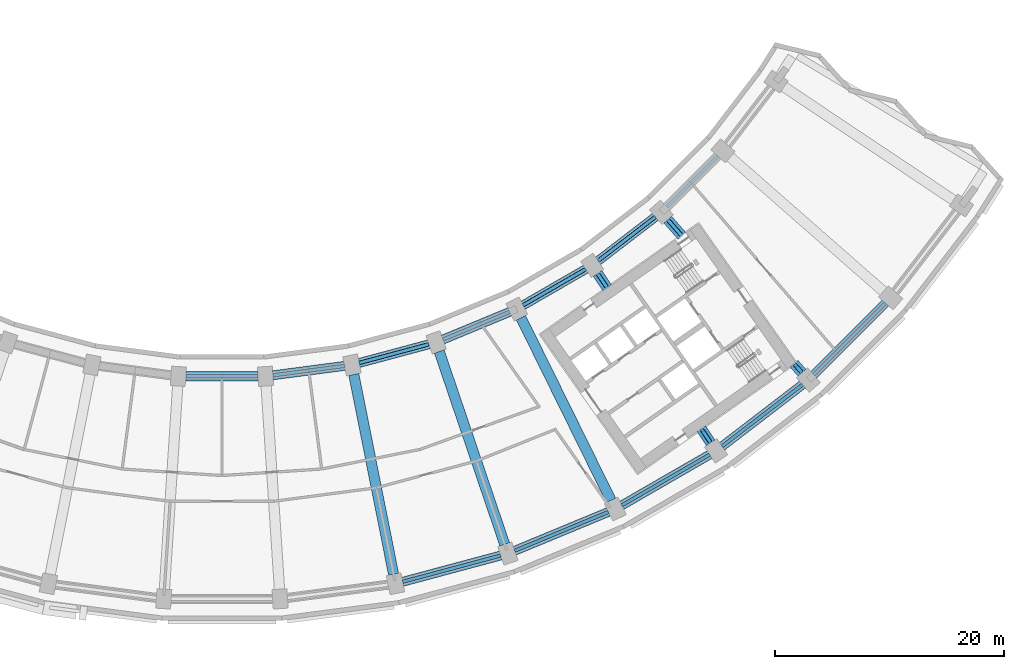
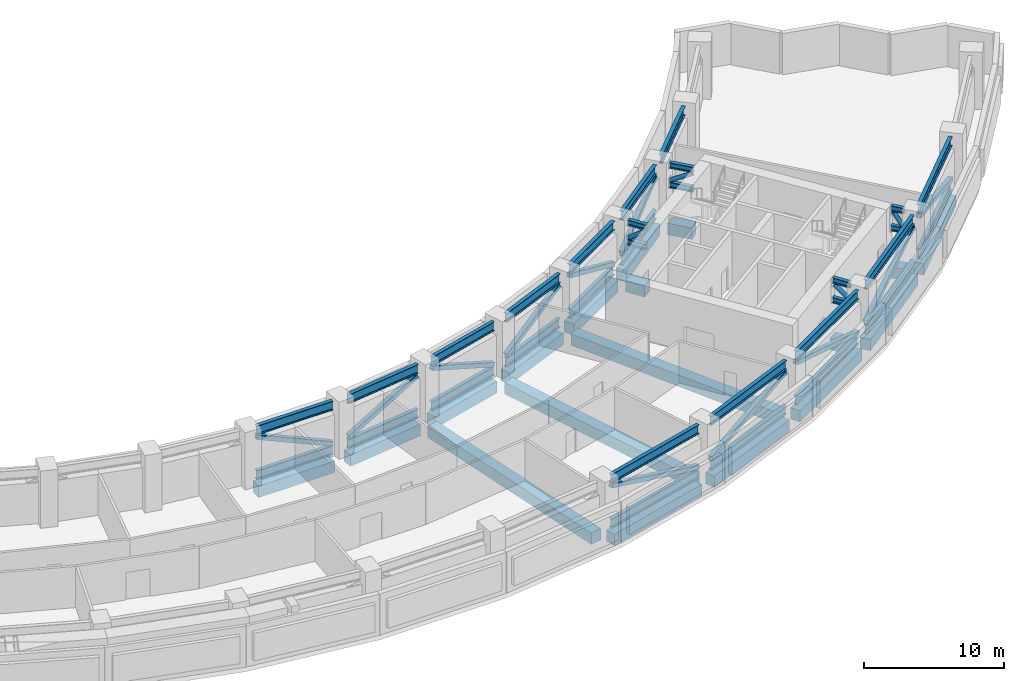
# One storey, part 3 of 25: 46 members, 18 beams.
"""IFC4 building model written with IfcOpenShell, lengths in metres."""

from ifc_helpers import new_model, si_unit, direction, frame, origin, origin_2d, place, context, subcontext, project, spatial, rectangle, hollow_rectangle, hollow_circle, i_section, extrude, material, material_profile, profile_set, type_object, element, save


model = new_model("IFC4")

# Units and contexts
model_context = context("Model", 3, precision=1e-05, world=origin(), true_north=direction((0.0, 1.0)))
body_context = subcontext(model_context, "Body", "Model", "MODEL_VIEW")
ifc_project = project(units=[si_unit("LENGTHUNIT", "METRE"), si_unit("AREAUNIT", "SQUARE_METRE"), si_unit("VOLUMEUNIT", "CUBIC_METRE"), si_unit("PLANEANGLEUNIT", "RADIAN"), si_unit("MASSUNIT", "GRAM", prefix="KILO")], contexts=[model_context])

# Site, building, storey
site_placement = place(None, origin())
site = spatial("IfcSite", under=ifc_project, at=site_placement, CompositionType="ELEMENT")
building_placement = place(site_placement, origin())
building = spatial("IfcBuilding", under=site, at=building_placement, Name="Qamariyya Broadcast Tower", CompositionType="ELEMENT")
storey_placement = place(building_placement, frame((0.0, 0.0, 89.89990234375)))
storey = spatial("IfcBuildingStorey", under=building, at=storey_placement, Name="L19", CompositionType="ELEMENT", Elevation=89.89990234375)

# Members
ifc_material_1 = material(Name="Steel S355", Category="steel")
ifc_material_profile_1 = material_profile(ifc_material_1, i_section(OverallWidth=0.300048828125, OverallDepth=0.800048828125, WebThickness=0.017578125, FlangeThickness=0.032958984375, FilletRadius=0.030029296875, at=origin_2d()))
ifc_profile_set_1 = profile_set([ifc_material_profile_1], Name="Steel S355")
member_type_1 = type_object("IfcMemberType", Name="Belt truss bottom chord HEB 800", PredefinedType="CHORD", material=ifc_profile_set_1)
member_1_placement = place(storey_placement, frame((-3.158447265625, -58.125244140625, 0.400146484375), z_axis=(1.0, 0.0, 0.0), x_axis=(0.0, 1.0, 0.0)))
element("IfcMember", 1, at=member_1_placement, inside=storey, type_object=member_type_1, Name="Belt truss bottom chord T6 L19 B-R10", PredefinedType="CHORD", context=body_context, shape_type="SweptSolid", body=[
    extrude(i_section(OverallWidth=0.300048828125, OverallDepth=0.800048828125, WebThickness=0.017578125, FlangeThickness=0.032958984375, FilletRadius=0.030029296875, at=origin_2d()), origin(), (0.0, 0.0, 1.0), 6.31689453125),
])
for number, where, z_axis, x_axis, name in (
    (2, (4.45556640625, -58.040283203125, 0.400146484375), (0.991445610946, 0.130520498525, 0.0), (-0.130520498525, 0.991445610946, 0.0), "Belt truss bottom chord T6 L19 B-R11"),
    (3, (11.9931640625, -56.962158203125, 0.400146484375), (0.965931490327, 0.258797905699, 0.0), (-0.258797905699, 0.965931490327, 0.0), "Belt truss bottom chord T6 L19 B-R12"),
    (4, (19.32568359375, -54.909423828125, 0.400146484375), (0.923884465345, 0.382671523234, 0.0), (-0.382671523234, 0.923884465345, 0.0), "Belt truss bottom chord T6 L19 B-R13"),
):
    element("IfcMember", number, at=place(storey_placement, frame(where, z_axis=z_axis, x_axis=x_axis)), inside=storey, type_object=member_type_1, Name=name, PredefinedType="CHORD", context=body_context, shape_type="SweptSolid", body=[
        extrude(i_section(OverallWidth=0.300048828125, OverallDepth=0.800048828125, WebThickness=0.017578125, FlangeThickness=0.032958984375, FilletRadius=0.030029296875, at=origin_2d()), origin(), (0.0, 0.0, 1.0), 6.316650390625),
    ])
for number, where, z_axis, x_axis, name in (
    (5, (26.327392578125, -51.917236328125, 0.400146484375), (0.866020173512, 0.500009058987, 0.0), (-0.500009058987, 0.866020173512, 0.0), "Belt truss bottom chord T6 L19 B-R14"),
    (6, (32.878662109375, -48.03662109375, 0.400146484375), (0.7933518672, 0.608763348773, 0.0), (-0.608763348773, 0.7933518672, 0.0), "Belt truss bottom chord T6 L19 B-R15"),
):
    element("IfcMember", number, at=place(storey_placement, frame(where, z_axis=z_axis, x_axis=x_axis)), inside=storey, type_object=member_type_1, Name=name, PredefinedType="CHORD", context=body_context, shape_type="SweptSolid", body=[
        extrude(i_section(OverallWidth=0.300048828125, OverallDepth=0.800048828125, WebThickness=0.017578125, FlangeThickness=0.032958984375, FilletRadius=0.030029296875, at=origin_2d()), origin(), (0.0, 0.0, 1.0), 6.31689453125),
    ])
for number, where, z_axis, x_axis, name in (
    (7, (15.79736328125, -76.08740234375, 0.400146484375), (0.965930847021, 0.258800306749, 0.0), (-0.258800306749, 0.965930847021, 0.0), "Belt truss bottom chord T6 L19 C-R12"),
    (8, (25.59375, -73.37451171875, 0.400146484375), (0.923882942367, 0.382675200142, 0.0), (-0.382675200142, 0.923882942367, 0.0), "Belt truss bottom chord T6 L19 C-R13"),
):
    element("IfcMember", number, at=place(storey_placement, frame(where, z_axis=z_axis, x_axis=x_axis)), inside=storey, type_object=member_type_1, Name=name, PredefinedType="CHORD", context=body_context, shape_type="SweptSolid", body=[
        extrude(i_section(OverallWidth=0.300048828125, OverallDepth=0.800048828125, WebThickness=0.017578125, FlangeThickness=0.032958984375, FilletRadius=0.030029296875, at=origin_2d()), origin(), (0.0, 0.0, 1.0), 8.867431640625),
    ])
member_2_placement = place(storey_placement, frame((34.9521484375, -69.40625, 0.400146484375), z_axis=(0.866013187848, 0.500021158025, 0.0), x_axis=(-0.500021158025, 0.866013187848, 0.0)))
element("IfcMember", 9, at=member_2_placement, inside=storey, type_object=member_type_1, Name="Belt truss bottom chord T6 L19 C-R14", PredefinedType="CHORD", context=body_context, shape_type="SweptSolid", body=[
    extrude(i_section(OverallWidth=0.300048828125, OverallDepth=0.800048828125, WebThickness=0.017578125, FlangeThickness=0.032958984375, FilletRadius=0.030029296875, at=origin_2d()), origin(), (0.0, 0.0, 1.0), 8.8671875),
])
member_3_placement = place(storey_placement, frame((43.71240234375, -64.250244140625, 0.400146484375), z_axis=(0.793347052809, 0.608769622928, 0.0), x_axis=(-0.608769622928, 0.793347052809, 0.0)))
element("IfcMember", 10, at=member_3_placement, inside=storey, type_object=member_type_1, Name="Belt truss bottom chord T6 L19 C-R15", PredefinedType="CHORD", context=body_context, shape_type="SweptSolid", body=[
    extrude(i_section(OverallWidth=0.300048828125, OverallDepth=0.800048828125, WebThickness=0.017578125, FlangeThickness=0.032958984375, FilletRadius=0.030029296875, at=origin_2d()), origin(), (0.0, 0.0, 1.0), 8.867431640625),
])
member_4_placement = place(storey_placement, frame((51.724853515625, -57.994873046875, 0.400146484375), z_axis=(0.707106781187, 0.707106781187, 0.0), x_axis=(-0.707106781187, 0.707106781187, 0.0)))
element("IfcMember", 11, at=member_4_placement, inside=storey, type_object=member_type_1, Name="Belt truss bottom chord T6 L19 C-R16", PredefinedType="CHORD", context=body_context, shape_type="SweptSolid", body=[
    extrude(i_section(OverallWidth=0.300048828125, OverallDepth=0.800048828125, WebThickness=0.017578125, FlangeThickness=0.032958984375, FilletRadius=0.030029296875, at=origin_2d()), origin(), (0.0, 0.0, 1.0), 8.8671875),
])
ifc_material_profile_2 = material_profile(ifc_material_1, hollow_rectangle(XDim=0.39990234375, YDim=0.39990234375, WallThickness=0.01611328125, InnerFilletRadius=0.01611328125, OuterFilletRadius=0.031982421875, at=origin_2d()))
ifc_profile_set_2 = profile_set([ifc_material_profile_2], Name="Steel S355")
member_type_2 = type_object("IfcMemberType", Name="Belt truss diagonal RHS 400x400x16", PredefinedType="BRACE", material=ifc_profile_set_2)
for number, where, z_axis, x_axis, name in (
    (12, (-3.0751953125, -58.125244140625, 3.71728515625), (0.91376367822, 0.0, -0.406246157354), (0.0, 1.0, 0.0), "Belt truss diagonal T7 L19 B-R10"),
    (13, (4.5380859375, -58.029296875, 0.98291015625), (0.905944034923, 0.119264253156, 0.406252930459), (-0.130520230809, 0.99144564619, 0.0), "Belt truss diagonal T7 L19 B-R11"),
):
    element("IfcMember", number, at=place(storey_placement, frame(where, z_axis=z_axis, x_axis=x_axis)), inside=storey, type_object=member_type_2, Name=name, PredefinedType="BRACE", context=body_context, shape_type="SweptSolid", body=[
        extrude(hollow_rectangle(XDim=0.39990234375, YDim=0.39990234375, WallThickness=0.01611328125, InnerFilletRadius=0.01611328125, OuterFilletRadius=0.031982421875, at=origin_2d()), origin(), (0.0, 0.0, 1.0), 6.730712890625),
    ])
for number, where, z_axis, x_axis, name in (
    (14, (12.07373046875, -56.940673828125, 3.71728515625), (0.882616366223, 0.236505782828, -0.406267602404), (-0.258828684328, 0.965923243415, 0.0), "Belt truss diagonal T7 L19 B-R12"),
    (15, (19.402587890625, -54.87744140625, 0.98291015625), (0.844199256007, 0.349679062773, 0.406266131022), (-0.382683695402, 0.923879423558, 0.0), "Belt truss diagonal T7 L19 B-R13"),
    (16, (26.399658203125, -51.87548828125, 3.71728515625), (0.791343308151, 0.456865097459, -0.406263524537), (-0.499985903289, 0.866033542371, 0.0), "Belt truss diagonal T7 L19 B-R14"),
    (17, (32.94482421875, -47.98583984375, 0.98291015625), (0.724930974449, 0.556258018172, 0.406266045225), (-0.608760683058, 0.793353912678, 0.0), "Belt truss diagonal T7 L19 B-R15"),
):
    element("IfcMember", number, at=place(storey_placement, frame(where, z_axis=z_axis, x_axis=x_axis)), inside=storey, type_object=member_type_2, Name=name, PredefinedType="BRACE", context=body_context, shape_type="SweptSolid", body=[
        extrude(hollow_rectangle(XDim=0.39990234375, YDim=0.39990234375, WallThickness=0.01611328125, InnerFilletRadius=0.01611328125, OuterFilletRadius=0.031982421875, at=origin_2d()), origin(), (0.0, 0.0, 1.0), 6.73046875),
    ])
for number, where, z_axis, x_axis, name in (
    (18, (15.856689453125, -76.071533203125, 3.709228515625), (0.92239347405, 0.247141092099, -0.296835913639), (-0.258805860401, 0.965929359023, 0.0), "Belt truss diagonal T7 L19 C-R12"),
    (19, (25.650390625, -73.35107421875, 0.990966796875), (0.882240595801, 0.365431882227, 0.29683508986), (-0.382679733804, 0.923881064497, 0.0), "Belt truss diagonal T7 L19 C-R13"),
    (20, (35.005126953125, -69.37548828125, 3.709228515625), (0.826997535503, 0.477456443047, -0.296833996141), (-0.499991512413, 0.86603030404, 0.0), "Belt truss diagonal T7 L19 C-R14"),
    (21, (43.760986328125, -64.212890625, 0.990966796875), (0.757598167369, 0.581322026937, 0.296832811186), (-0.60875912676, 0.793355106863, 0.0), "Belt truss diagonal T7 L19 C-R15"),
):
    element("IfcMember", number, at=place(storey_placement, frame(where, z_axis=z_axis, x_axis=x_axis)), inside=storey, type_object=member_type_2, Name=name, PredefinedType="BRACE", context=body_context, shape_type="SweptSolid", body=[
        extrude(hollow_rectangle(XDim=0.39990234375, YDim=0.39990234375, WallThickness=0.01611328125, InnerFilletRadius=0.01611328125, OuterFilletRadius=0.031982421875, at=origin_2d()), origin(), (0.0, 0.0, 1.0), 9.157470703125),
    ])
member_5_placement = place(storey_placement, frame((51.76806640625, -57.95166015625, 3.709228515625), z_axis=(0.675237824559, 0.675237824559, -0.296829514318), x_axis=(-0.707106781187, 0.707106781187, 0.0)))
element("IfcMember", 22, at=member_5_placement, inside=storey, type_object=member_type_2, Name="Belt truss diagonal T7 L19 C-R16", PredefinedType="BRACE", context=body_context, shape_type="SweptSolid", body=[
    extrude(hollow_rectangle(XDim=0.39990234375, YDim=0.39990234375, WallThickness=0.01611328125, InnerFilletRadius=0.01611328125, OuterFilletRadius=0.031982421875, at=origin_2d()), origin(), (0.0, 0.0, 1.0), 9.15771484375),
])
ifc_material_profile_3 = material_profile(ifc_material_1, i_section(OverallWidth=0.300048828125, OverallDepth=0.800048828125, WebThickness=0.017578125, FlangeThickness=0.032958984375, FilletRadius=0.030029296875, at=origin_2d()))
ifc_profile_set_3 = profile_set([ifc_material_profile_3], Name="Steel S355")
member_type_3 = type_object("IfcMemberType", Name="Belt truss top chord HEB 800", PredefinedType="CHORD", material=ifc_profile_set_3)
member_6_placement = place(storey_placement, frame((-3.158447265625, -58.125244140625, 4.300048828125), z_axis=(1.0, 0.0, 0.0), x_axis=(0.0, 1.0, 0.0)))
element("IfcMember", 23, at=member_6_placement, inside=storey, type_object=member_type_3, Name="Belt truss top chord T5 L19 B-R10", PredefinedType="CHORD", context=body_context, shape_type="SweptSolid", body=[
    extrude(i_section(OverallWidth=0.300048828125, OverallDepth=0.800048828125, WebThickness=0.017578125, FlangeThickness=0.032958984375, FilletRadius=0.030029296875, at=origin_2d()), origin(), (0.0, 0.0, 1.0), 6.31689453125),
])
for number, where, z_axis, x_axis, name in (
    (24, (4.45556640625, -58.040283203125, 4.300048828125), (0.991445610946, 0.130520498525, 0.0), (-0.130520498525, 0.991445610946, 0.0), "Belt truss top chord T5 L19 B-R11"),
    (25, (11.9931640625, -56.962158203125, 4.300048828125), (0.965931490327, 0.258797905699, 0.0), (-0.258797905699, 0.965931490327, 0.0), "Belt truss top chord T5 L19 B-R12"),
    (26, (19.32568359375, -54.909423828125, 4.300048828125), (0.923884465345, 0.382671523234, 0.0), (-0.382671523234, 0.923884465345, 0.0), "Belt truss top chord T5 L19 B-R13"),
):
    element("IfcMember", number, at=place(storey_placement, frame(where, z_axis=z_axis, x_axis=x_axis)), inside=storey, type_object=member_type_3, Name=name, PredefinedType="CHORD", context=body_context, shape_type="SweptSolid", body=[
        extrude(i_section(OverallWidth=0.300048828125, OverallDepth=0.800048828125, WebThickness=0.017578125, FlangeThickness=0.032958984375, FilletRadius=0.030029296875, at=origin_2d()), origin(), (0.0, 0.0, 1.0), 6.316650390625),
    ])
for number, where, z_axis, x_axis, name in (
    (27, (26.327392578125, -51.917236328125, 4.300048828125), (0.866020173512, 0.500009058987, 0.0), (-0.500009058987, 0.866020173512, 0.0), "Belt truss top chord T5 L19 B-R14"),
    (28, (32.878662109375, -48.03662109375, 4.300048828125), (0.7933518672, 0.608763348773, 0.0), (-0.608763348773, 0.7933518672, 0.0), "Belt truss top chord T5 L19 B-R15"),
):
    element("IfcMember", number, at=place(storey_placement, frame(where, z_axis=z_axis, x_axis=x_axis)), inside=storey, type_object=member_type_3, Name=name, PredefinedType="CHORD", context=body_context, shape_type="SweptSolid", body=[
        extrude(i_section(OverallWidth=0.300048828125, OverallDepth=0.800048828125, WebThickness=0.017578125, FlangeThickness=0.032958984375, FilletRadius=0.030029296875, at=origin_2d()), origin(), (0.0, 0.0, 1.0), 6.31689453125),
    ])
member_7_placement = place(storey_placement, frame((38.867431640625, -43.333984375, 4.300048828125), z_axis=(0.707106781187, 0.707106781187, 0.0), x_axis=(-0.707106781187, 0.707106781187, 0.0)))
element("IfcMember", 29, at=member_7_placement, inside=storey, type_object=member_type_3, Name="Belt truss top chord T5 L19 B-R16", PredefinedType="CHORD", context=body_context, shape_type="SweptSolid", body=[
    extrude(i_section(OverallWidth=0.300048828125, OverallDepth=0.800048828125, WebThickness=0.017578125, FlangeThickness=0.032958984375, FilletRadius=0.030029296875, at=origin_2d()), origin(), (0.0, 0.0, 1.0), 6.316650390625),
])
for number, where, z_axis, x_axis, name in (
    (30, (15.79736328125, -76.08740234375, 4.300048828125), (0.965930847021, 0.258800306749, 0.0), (-0.258800306749, 0.965930847021, 0.0), "Belt truss top chord T5 L19 C-R12"),
    (31, (25.59375, -73.37451171875, 4.300048828125), (0.923882942367, 0.382675200142, 0.0), (-0.382675200142, 0.923882942367, 0.0), "Belt truss top chord T5 L19 C-R13"),
):
    element("IfcMember", number, at=place(storey_placement, frame(where, z_axis=z_axis, x_axis=x_axis)), inside=storey, type_object=member_type_3, Name=name, PredefinedType="CHORD", context=body_context, shape_type="SweptSolid", body=[
        extrude(i_section(OverallWidth=0.300048828125, OverallDepth=0.800048828125, WebThickness=0.017578125, FlangeThickness=0.032958984375, FilletRadius=0.030029296875, at=origin_2d()), origin(), (0.0, 0.0, 1.0), 8.867431640625),
    ])
member_8_placement = place(storey_placement, frame((34.9521484375, -69.40625, 4.300048828125), z_axis=(0.866013187848, 0.500021158025, 0.0), x_axis=(-0.500021158025, 0.866013187848, 0.0)))
element("IfcMember", 32, at=member_8_placement, inside=storey, type_object=member_type_3, Name="Belt truss top chord T5 L19 C-R14", PredefinedType="CHORD", context=body_context, shape_type="SweptSolid", body=[
    extrude(i_section(OverallWidth=0.300048828125, OverallDepth=0.800048828125, WebThickness=0.017578125, FlangeThickness=0.032958984375, FilletRadius=0.030029296875, at=origin_2d()), origin(), (0.0, 0.0, 1.0), 8.8671875),
])
member_9_placement = place(storey_placement, frame((43.71240234375, -64.250244140625, 4.300048828125), z_axis=(0.793347052809, 0.608769622928, 0.0), x_axis=(-0.608769622928, 0.793347052809, 0.0)))
element("IfcMember", 33, at=member_9_placement, inside=storey, type_object=member_type_3, Name="Belt truss top chord T5 L19 C-R15", PredefinedType="CHORD", context=body_context, shape_type="SweptSolid", body=[
    extrude(i_section(OverallWidth=0.300048828125, OverallDepth=0.800048828125, WebThickness=0.017578125, FlangeThickness=0.032958984375, FilletRadius=0.030029296875, at=origin_2d()), origin(), (0.0, 0.0, 1.0), 8.867431640625),
])
member_10_placement = place(storey_placement, frame((51.724853515625, -57.994873046875, 4.300048828125), z_axis=(0.707106781187, 0.707106781187, 0.0), x_axis=(-0.707106781187, 0.707106781187, 0.0)))
element("IfcMember", 34, at=member_10_placement, inside=storey, type_object=member_type_3, Name="Belt truss top chord T5 L19 C-R16", PredefinedType="CHORD", context=body_context, shape_type="SweptSolid", body=[
    extrude(i_section(OverallWidth=0.300048828125, OverallDepth=0.800048828125, WebThickness=0.017578125, FlangeThickness=0.032958984375, FilletRadius=0.030029296875, at=origin_2d()), origin(), (0.0, 0.0, 1.0), 8.8671875),
])
ifc_material_profile_4 = material_profile(ifc_material_1, i_section(OverallWidth=0.300048828125, OverallDepth=0.489990234375, WebThickness=0.011962890625, FlangeThickness=0.02294921875, FilletRadius=0.027099609375, at=origin_2d()))
ifc_profile_set_4 = profile_set([ifc_material_profile_4], Name="Steel S355")
member_type_4 = type_object("IfcMemberType", Name="Outrigger truss bottom chord HEA 500", PredefinedType="CHORD", material=ifc_profile_set_4)
member_11_placement = place(storey_placement, frame((32.84521484375, -49.156494140625, 2.7451171875), z_axis=(0.555671566181, -0.831401894716, 0.0), x_axis=(0.831401894716, 0.555671566181, 0.0)))
element("IfcMember", 35, at=member_11_placement, inside=storey, type_object=member_type_4, Name="Outrigger truss bottom chord T9 L19 R15", PredefinedType="CHORD", context=body_context, shape_type="SweptSolid", body=[
    extrude(i_section(OverallWidth=0.300048828125, OverallDepth=0.489990234375, WebThickness=0.011962890625, FlangeThickness=0.02294921875, FilletRadius=0.027099609375, at=origin_2d()), origin(), (0.0, 0.0, 1.0), 1.449462890625),
])
member_12_placement = place(storey_placement, frame((41.925048828125, -62.7451171875, 2.7451171875), z_axis=(0.55549517361, -0.831519760497, 0.0), x_axis=(0.831519760497, 0.55549517361, 0.0)))
element("IfcMember", 36, at=member_12_placement, inside=storey, type_object=member_type_4, Name="Outrigger truss bottom chord T9 L19 R15", PredefinedType="CHORD", context=body_context, shape_type="SweptSolid", body=[
    extrude(i_section(OverallWidth=0.300048828125, OverallDepth=0.489990234375, WebThickness=0.011962890625, FlangeThickness=0.02294921875, FilletRadius=0.027099609375, at=origin_2d()), origin(), (0.0, 0.0, 1.0), 1.4169921875),
])
member_13_placement = place(storey_placement, frame((38.98046875, -44.44873046875, 2.7451171875), z_axis=(0.659340845534, -0.751844165643, 0.0), x_axis=(0.751844165643, 0.659340845534, 0.0)))
element("IfcMember", 37, at=member_13_placement, inside=storey, type_object=member_type_4, Name="Outrigger truss bottom chord T9 L19 R16", PredefinedType="CHORD", context=body_context, shape_type="SweptSolid", body=[
    extrude(i_section(OverallWidth=0.300048828125, OverallDepth=0.489990234375, WebThickness=0.011962890625, FlangeThickness=0.02294921875, FilletRadius=0.027099609375, at=origin_2d()), origin(), (0.0, 0.0, 1.0), 1.79736328125),
])
member_14_placement = place(storey_placement, frame((50.04150390625, -57.0615234375, 2.7451171875), z_axis=(0.659329597633, -0.751854029506, 0.0), x_axis=(0.751854029506, 0.659329597633, 0.0)))
element("IfcMember", 38, at=member_14_placement, inside=storey, type_object=member_type_4, Name="Outrigger truss bottom chord T9 L19 R16", PredefinedType="CHORD", context=body_context, shape_type="SweptSolid", body=[
    extrude(i_section(OverallWidth=0.300048828125, OverallDepth=0.489990234375, WebThickness=0.011962890625, FlangeThickness=0.02294921875, FilletRadius=0.027099609375, at=origin_2d()), origin(), (0.0, 0.0, 1.0), 0.984130859375),
])
ifc_material_profile_5 = material_profile(ifc_material_1, hollow_circle(Radius=0.177734375, WallThickness=0.012451171875, at=origin_2d()))
ifc_profile_set_5 = profile_set([ifc_material_profile_5], Name="Steel S355")
member_type_5 = type_object("IfcMemberType", Name="Outrigger truss diagonal CHS 355.6x12.5", PredefinedType="BRACE", material=ifc_profile_set_5)
member_15_placement = place(storey_placement, frame((32.90625, -49.247802734375, 3.131591796875), z_axis=(0.441986609636, -0.66132187251, 0.606053807711), x_axis=(0.831408360739, 0.555661891525, 0.0)))
element("IfcMember", 39, at=member_15_placement, inside=storey, type_object=member_type_5, Name="Outrigger truss diagonal T10 L19 R15", PredefinedType="BRACE", context=body_context, shape_type="SweptSolid", body=[
    extrude(hollow_circle(Radius=0.177734375, WallThickness=0.012451171875, at=origin_2d()), origin(), (0.0, 0.0, 1.0), 1.546142578125),
])
member_16_placement = place(storey_placement, frame((41.9873046875, -62.83837890625, 4.070556640625), z_axis=(0.436162199242, -0.652796924584, -0.619369607914), x_axis=(0.831483004065, 0.555550190308, 0.0)))
element("IfcMember", 40, at=member_16_placement, inside=storey, type_object=member_type_5, Name="Outrigger truss diagonal T10 L19 R15", PredefinedType="BRACE", context=body_context, shape_type="SweptSolid", body=[
    extrude(hollow_circle(Radius=0.177734375, WallThickness=0.012451171875, at=origin_2d()), origin(), (0.0, 0.0, 1.0), 1.51904296875),
])
member_17_placement = place(storey_placement, frame((39.039306640625, -44.515869140625, 3.14501953125), z_axis=(0.574791457717, -0.655364785771, 0.490012017921), x_axis=(0.751810255032, 0.659379511684, 0.0)))
element("IfcMember", 41, at=member_17_placement, inside=storey, type_object=member_type_5, Name="Outrigger truss diagonal T10 L19 R16", PredefinedType="BRACE", context=body_context, shape_type="SweptSolid", body=[
    extrude(hollow_circle(Radius=0.177734375, WallThickness=0.012451171875, at=origin_2d()), origin(), (0.0, 0.0, 1.0), 1.857421875),
])
member_18_placement = place(storey_placement, frame((50.140380859375, -57.174072265625, 4.111083984375), z_axis=(0.366954092593, -0.418553910913, -0.830757074956), x_axis=(0.751935834782, 0.659236300859, 0.0)))
element("IfcMember", 42, at=member_18_placement, inside=storey, type_object=member_type_5, Name="Outrigger truss diagonal T10 L19 R16", PredefinedType="BRACE", context=body_context, shape_type="SweptSolid", body=[
    extrude(hollow_circle(Radius=0.177734375, WallThickness=0.012451171875, at=origin_2d()), origin(), (0.0, 0.0, 1.0), 1.230224609375),
])
ifc_material_profile_6 = material_profile(ifc_material_1, i_section(OverallWidth=0.300048828125, OverallDepth=0.489990234375, WebThickness=0.011962890625, FlangeThickness=0.02294921875, FilletRadius=0.027099609375, at=origin_2d()))
ifc_profile_set_6 = profile_set([ifc_material_profile_6], Name="Steel S355")
member_type_6 = type_object("IfcMemberType", Name="Outrigger truss top chord HEA 500", PredefinedType="CHORD", material=ifc_profile_set_6)
member_19_placement = place(storey_placement, frame((32.84521484375, -49.156494140625, 4.455078125), z_axis=(0.555671566181, -0.831401894716, 0.0), x_axis=(0.831401894716, 0.555671566181, 0.0)))
element("IfcMember", 43, at=member_19_placement, inside=storey, type_object=member_type_6, Name="Outrigger truss top chord T8 L19 R15", PredefinedType="CHORD", context=body_context, shape_type="SweptSolid", body=[
    extrude(i_section(OverallWidth=0.300048828125, OverallDepth=0.489990234375, WebThickness=0.011962890625, FlangeThickness=0.02294921875, FilletRadius=0.027099609375, at=origin_2d()), origin(), (0.0, 0.0, 1.0), 1.449462890625),
])
member_20_placement = place(storey_placement, frame((41.925048828125, -62.7451171875, 4.455078125), z_axis=(0.55549517361, -0.831519760497, 0.0), x_axis=(0.831519760497, 0.55549517361, 0.0)))
element("IfcMember", 44, at=member_20_placement, inside=storey, type_object=member_type_6, Name="Outrigger truss top chord T8 L19 R15", PredefinedType="CHORD", context=body_context, shape_type="SweptSolid", body=[
    extrude(i_section(OverallWidth=0.300048828125, OverallDepth=0.489990234375, WebThickness=0.011962890625, FlangeThickness=0.02294921875, FilletRadius=0.027099609375, at=origin_2d()), origin(), (0.0, 0.0, 1.0), 1.4169921875),
])
member_21_placement = place(storey_placement, frame((38.98046875, -44.44873046875, 4.455078125), z_axis=(0.659340845534, -0.751844165643, 0.0), x_axis=(0.751844165643, 0.659340845534, 0.0)))
element("IfcMember", 45, at=member_21_placement, inside=storey, type_object=member_type_6, Name="Outrigger truss top chord T8 L19 R16", PredefinedType="CHORD", context=body_context, shape_type="SweptSolid", body=[
    extrude(i_section(OverallWidth=0.300048828125, OverallDepth=0.489990234375, WebThickness=0.011962890625, FlangeThickness=0.02294921875, FilletRadius=0.027099609375, at=origin_2d()), origin(), (0.0, 0.0, 1.0), 1.79736328125),
])
member_22_placement = place(storey_placement, frame((50.04150390625, -57.0615234375, 4.455078125), z_axis=(0.659329597633, -0.751854029506, 0.0), x_axis=(0.751854029506, 0.659329597633, 0.0)))
element("IfcMember", 46, at=member_22_placement, inside=storey, type_object=member_type_6, Name="Outrigger truss top chord T8 L19 R16", PredefinedType="CHORD", context=body_context, shape_type="SweptSolid", body=[
    extrude(i_section(OverallWidth=0.300048828125, OverallDepth=0.489990234375, WebThickness=0.011962890625, FlangeThickness=0.02294921875, FilletRadius=0.027099609375, at=origin_2d()), origin(), (0.0, 0.0, 1.0), 0.984130859375),
])

# Beams
ifc_material_2 = material(Name="Concrete C50/60", Category="concrete")
ifc_material_profile_7 = material_profile(ifc_material_2, rectangle(XDim=0.800048828125, YDim=1.0, at=origin_2d()))
ifc_profile_set_7 = profile_set([ifc_material_profile_7], Name="Concrete C50/60")
beam_type_1 = type_object("IfcBeamType", Name="RC edge beam 800 x 1000 C50/60", PredefinedType="SPANDREL", material=ifc_profile_set_7)
beam_1_placement = place(storey_placement, frame((-3.158447265625, -58.125244140625, -0.89990234375), z_axis=(1.0, 0.0, 0.0), x_axis=(0.0, 1.0, 0.0)))
element("IfcBeam", 47, at=beam_1_placement, inside=storey, type_object=beam_type_1, Name="Edge beam B10 L19 B R10-R11", PredefinedType="SPANDREL", context=body_context, shape_type="SweptSolid", body=[
    extrude(rectangle(XDim=0.800048828125, YDim=1.0, at=origin_2d()), origin(), (0.0, 0.0, 1.0), 6.31689453125),
])
for number, where, z_axis, x_axis, name in (
    (48, (4.45556640625, -58.040283203125, -0.89990234375), (0.991445610946, 0.130520498525, 0.0), (-0.130520498525, 0.991445610946, 0.0), "Edge beam B10 L19 B R11-R12"),
    (49, (11.9931640625, -56.962158203125, -0.89990234375), (0.965931490327, 0.258797905699, 0.0), (-0.258797905699, 0.965931490327, 0.0), "Edge beam B10 L19 B R12-R13"),
    (50, (19.32568359375, -54.909423828125, -0.89990234375), (0.923884465345, 0.382671523234, 0.0), (-0.382671523234, 0.923884465345, 0.0), "Edge beam B10 L19 B R13-R14"),
):
    element("IfcBeam", number, at=place(storey_placement, frame(where, z_axis=z_axis, x_axis=x_axis)), inside=storey, type_object=beam_type_1, Name=name, PredefinedType="SPANDREL", context=body_context, shape_type="SweptSolid", body=[
        extrude(rectangle(XDim=0.800048828125, YDim=1.0, at=origin_2d()), origin(), (0.0, 0.0, 1.0), 6.316650390625),
    ])
for number, where, z_axis, x_axis, name in (
    (51, (26.327392578125, -51.917236328125, -0.89990234375), (0.866020173512, 0.500009058987, 0.0), (-0.500009058987, 0.866020173512, 0.0), "Edge beam B10 L19 B R14-R15"),
    (52, (32.878662109375, -48.03662109375, -0.89990234375), (0.7933518672, 0.608763348773, 0.0), (-0.608763348773, 0.7933518672, 0.0), "Edge beam B10 L19 B R15-R16"),
):
    element("IfcBeam", number, at=place(storey_placement, frame(where, z_axis=z_axis, x_axis=x_axis)), inside=storey, type_object=beam_type_1, Name=name, PredefinedType="SPANDREL", context=body_context, shape_type="SweptSolid", body=[
        extrude(rectangle(XDim=0.800048828125, YDim=1.0, at=origin_2d()), origin(), (0.0, 0.0, 1.0), 6.31689453125),
    ])
for number, where, z_axis, x_axis, name in (
    (53, (15.79736328125, -76.08740234375, -0.89990234375), (0.965930847021, 0.258800306749, 0.0), (-0.258800306749, 0.965930847021, 0.0), "Edge beam B10 L19 C R12-R13"),
    (54, (25.59375, -73.37451171875, -0.89990234375), (0.923882942367, 0.382675200142, 0.0), (-0.382675200142, 0.923882942367, 0.0), "Edge beam B10 L19 C R13-R14"),
):
    element("IfcBeam", number, at=place(storey_placement, frame(where, z_axis=z_axis, x_axis=x_axis)), inside=storey, type_object=beam_type_1, Name=name, PredefinedType="SPANDREL", context=body_context, shape_type="SweptSolid", body=[
        extrude(rectangle(XDim=0.800048828125, YDim=1.0, at=origin_2d()), origin(), (0.0, 0.0, 1.0), 8.867431640625),
    ])
beam_2_placement = place(storey_placement, frame((34.9521484375, -69.40625, -0.89990234375), z_axis=(0.866013187848, 0.500021158025, 0.0), x_axis=(-0.500021158025, 0.866013187848, 0.0)))
element("IfcBeam", 55, at=beam_2_placement, inside=storey, type_object=beam_type_1, Name="Edge beam B10 L19 C R14-R15", PredefinedType="SPANDREL", context=body_context, shape_type="SweptSolid", body=[
    extrude(rectangle(XDim=0.800048828125, YDim=1.0, at=origin_2d()), origin(), (0.0, 0.0, 1.0), 8.8671875),
])
beam_3_placement = place(storey_placement, frame((43.71240234375, -64.250244140625, -0.89990234375), z_axis=(0.793347052809, 0.608769622928, 0.0), x_axis=(-0.608769622928, 0.793347052809, 0.0)))
element("IfcBeam", 56, at=beam_3_placement, inside=storey, type_object=beam_type_1, Name="Edge beam B10 L19 C R15-R16", PredefinedType="SPANDREL", context=body_context, shape_type="SweptSolid", body=[
    extrude(rectangle(XDim=0.800048828125, YDim=1.0, at=origin_2d()), origin(), (0.0, 0.0, 1.0), 8.867431640625),
])
beam_4_placement = place(storey_placement, frame((51.724853515625, -57.994873046875, -0.89990234375), z_axis=(0.707106781187, 0.707106781187, 0.0), x_axis=(-0.707106781187, 0.707106781187, 0.0)))
element("IfcBeam", 57, at=beam_4_placement, inside=storey, type_object=beam_type_1, Name="Edge beam B10 L19 C R16-R17", PredefinedType="SPANDREL", context=body_context, shape_type="SweptSolid", body=[
    extrude(rectangle(XDim=0.800048828125, YDim=1.0, at=origin_2d()), origin(), (0.0, 0.0, 1.0), 8.8671875),
])
ifc_material_profile_8 = material_profile(ifc_material_2, rectangle(XDim=0.89990234375, YDim=1.0, at=origin_2d()))
ifc_profile_set_8 = profile_set([ifc_material_profile_8], Name="Concrete C50/60")
beam_type_2 = type_object("IfcBeamType", Name="RC radial beam 900 x 1000 C50/60", PredefinedType="BEAM", material=ifc_profile_set_8)
beam_5_placement = place(storey_placement, frame((11.52978515625, -57.96435546875, -0.89990234375), z_axis=(0.19509262344, -0.980784822619, 0.0), x_axis=(0.980784822619, 0.19509262344, 0.0)))
element("IfcBeam", 58, at=beam_5_placement, inside=storey, type_object=beam_type_2, Name="Radial beam B9 L19 R12 B-C", PredefinedType="BEAM", context=body_context, shape_type="SweptSolid", body=[
    extrude(rectangle(XDim=0.89990234375, YDim=1.0, at=origin_2d()), origin(), (0.0, 0.0, 1.0), 17.800048828125),
])
beam_6_placement = place(storey_placement, frame((18.9970703125, -55.963623046875, -0.89990234375), z_axis=(0.321444599042, -0.94692838681, 0.0), x_axis=(0.94692838681, 0.321444599042, 0.0)))
element("IfcBeam", 59, at=beam_6_placement, inside=storey, type_object=beam_type_2, Name="Radial beam B9 L19 R13 B-C", PredefinedType="BEAM", context=body_context, shape_type="SweptSolid", body=[
    extrude(rectangle(XDim=0.89990234375, YDim=1.0, at=origin_2d()), origin(), (0.0, 0.0, 1.0), 17.7998046875),
])
beam_7_placement = place(storey_placement, frame((26.13916015625, -53.005126953125, -0.89990234375), z_axis=(0.442291123934, -0.896871541353, 0.0), x_axis=(0.896871541353, 0.442291123934, 0.0)))
element("IfcBeam", 60, at=beam_7_placement, inside=storey, type_object=beam_type_2, Name="Radial beam B9 L19 R14 B-C", PredefinedType="BEAM", context=body_context, shape_type="SweptSolid", body=[
    extrude(rectangle(XDim=0.89990234375, YDim=1.0, at=origin_2d()), origin(), (0.0, 0.0, 1.0), 17.800048828125),
])
beam_8_placement = place(storey_placement, frame((32.834228515625, -49.139892578125, -0.89990234375), z_axis=(0.555518362002, -0.831504269068, 0.0), x_axis=(0.831504269068, 0.555518362002, 0.0)))
element("IfcBeam", 61, at=beam_8_placement, inside=storey, type_object=beam_type_2, Name="Radial beam B9 L19 R15 B-C", PredefinedType="BEAM", context=body_context, shape_type="SweptSolid", body=[
    extrude(rectangle(XDim=0.89990234375, YDim=1.0, at=origin_2d()), origin(), (0.0, 0.0, 1.0), 1.514404296875),
])
beam_9_placement = place(storey_placement, frame((41.89990234375, -62.707763671875, -0.89990234375), z_axis=(0.555650227013, -0.831416156459, 0.0), x_axis=(0.831416156459, 0.555650227013, 0.0)))
element("IfcBeam", 62, at=beam_9_placement, inside=storey, type_object=beam_type_2, Name="Radial beam B9 L19 R15 B-C", PredefinedType="BEAM", context=body_context, shape_type="SweptSolid", body=[
    extrude(rectangle(XDim=0.89990234375, YDim=1.0, at=origin_2d()), origin(), (0.0, 0.0, 1.0), 1.48193359375),
])
beam_10_placement = place(storey_placement, frame((38.96728515625, -44.433837890625, -0.89990234375), z_axis=(0.659385827408, -0.751804715743, 0.0), x_axis=(0.751804715743, 0.659385827408, 0.0)))
element("IfcBeam", 63, at=beam_10_placement, inside=storey, type_object=beam_type_2, Name="Radial beam B9 L19 R16 B-C", PredefinedType="BEAM", context=body_context, shape_type="SweptSolid", body=[
    extrude(rectangle(XDim=0.89990234375, YDim=1.0, at=origin_2d()), origin(), (0.0, 0.0, 1.0), 1.8623046875),
])
beam_11_placement = place(storey_placement, frame((50.011962890625, -57.027587890625, -0.89990234375), z_axis=(0.659278599496, -0.751898748667, 0.0), x_axis=(0.751898748667, 0.659278599496, 0.0)))
element("IfcBeam", 64, at=beam_11_placement, inside=storey, type_object=beam_type_2, Name="Radial beam B9 L19 R16 B-C", PredefinedType="BEAM", context=body_context, shape_type="SweptSolid", body=[
    extrude(rectangle(XDim=0.89990234375, YDim=1.0, at=origin_2d()), origin(), (0.0, 0.0, 1.0), 1.049072265625),
])

save(model, "model.ifc")
